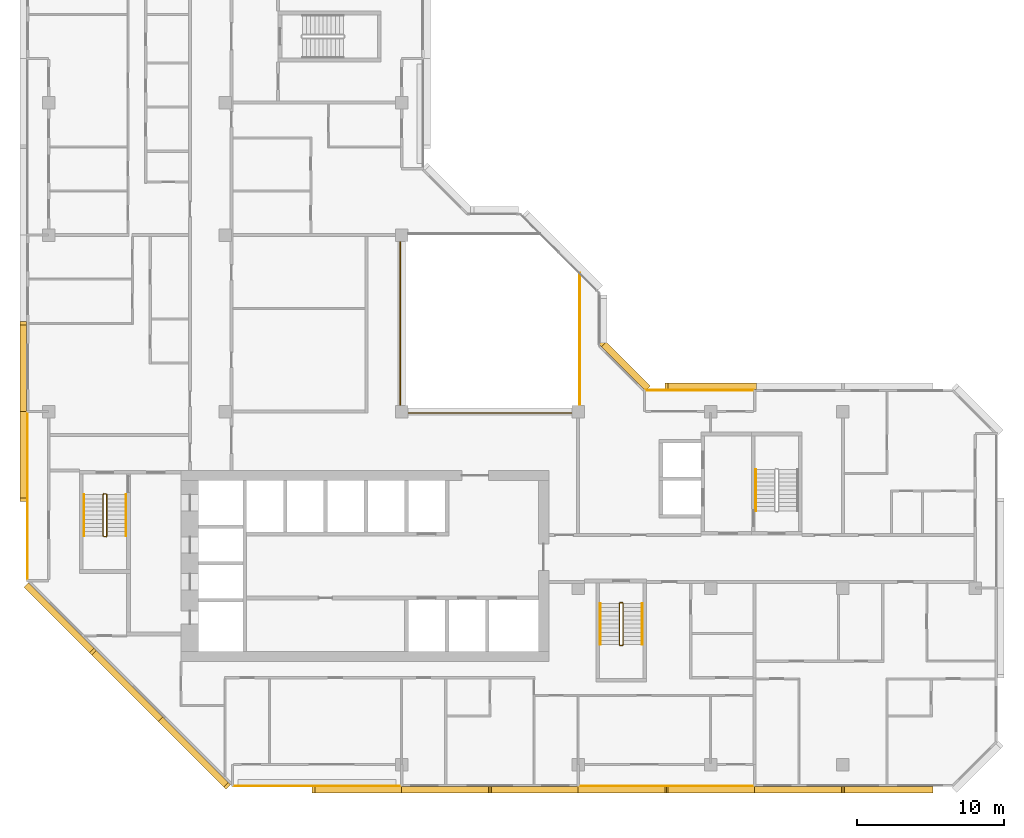
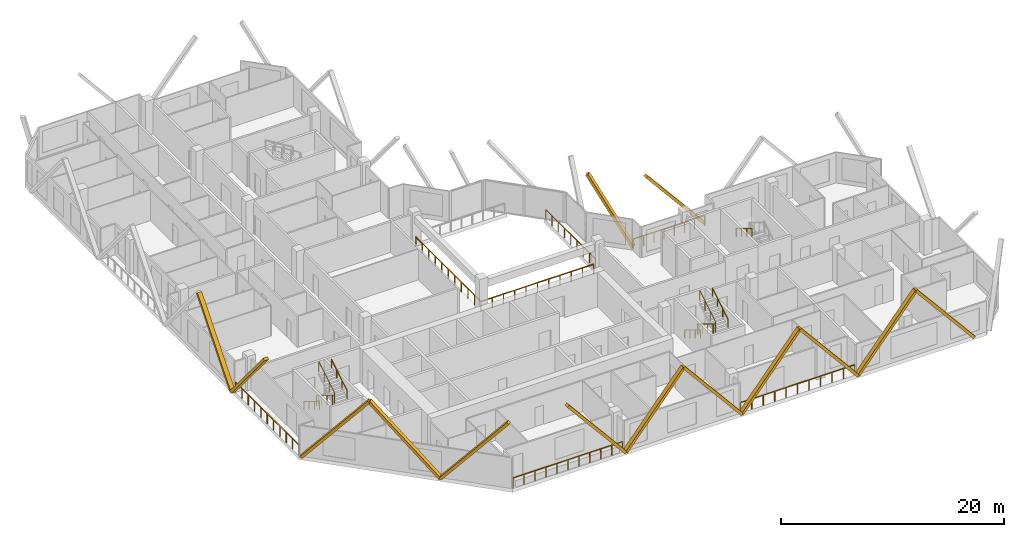
# One storey, part 14 of 15: 14 coverings, 13 railings.
"""IFC4 building model written with IfcOpenShell, lengths in metres."""

from ifc_helpers import new_model, si_unit, direction, frame, origin, origin_2d, place, context, subcontext, project, spatial, rectangle, extrude, material, material_profile, profile_set, type_object, element, save


model = new_model("IFC4")

# Units and contexts
model_context = context("Model", 3, precision=1e-05, world=origin(), true_north=direction((0.0, 1.0)))
body_context = subcontext(model_context, "Body", "Model", "MODEL_VIEW")
ifc_project = project(units=[si_unit("LENGTHUNIT", "METRE"), si_unit("AREAUNIT", "SQUARE_METRE"), si_unit("VOLUMEUNIT", "CUBIC_METRE"), si_unit("PLANEANGLEUNIT", "RADIAN"), si_unit("MASSUNIT", "GRAM", prefix="KILO")], contexts=[model_context])

# Site, building, storey
site_placement = place(None, origin())
site = spatial("IfcSite", under=ifc_project, at=site_placement, CompositionType="ELEMENT")
building_placement = place(site_placement, origin())
building = spatial("IfcBuilding", under=site, at=building_placement, Name="Chenar Terraces", CompositionType="ELEMENT")
storey_placement = place(building_placement, frame((0.0, 0.0, 211.64990234375)))
storey = spatial("IfcBuildingStorey", under=building, at=storey_placement, Name="L49", CompositionType="ELEMENT", Elevation=211.64990234375)

# Railings
ifc_material_1 = material(Name="Powder-coated steel", Category="steel")
railing_type_1 = type_object("IfcRailingType", Name="Guard 1100 steel rail with glass infill", PredefinedType="GUARDRAIL", material=ifc_material_1)
railing_1_placement = place(storey_placement, frame((23.89990234375, 35.574951171875, 0.0)))
element("IfcRailing", 1, at=railing_1_placement, inside=storey, type_object=railing_type_1, Name="Guard L49-1", PredefinedType="GUARDRAIL", context=body_context, shape_type="SweptSolid", body=[
    extrude(rectangle(XDim=0.06005859375, YDim=0.06005859375, at=origin_2d()), frame((0.0, 0.0, 1.070068359375), z_axis=(0.0, -1.0, 0.0), x_axis=(1.0, 0.0, 0.0)), (0.0, 0.0, 1.0), 11.675048828125),
    extrude(rectangle(XDim=0.06005859375, YDim=0.06005859375, at=origin_2d()), frame((0.0, -11.675048828125, 1.070068359375), z_axis=(1.0, 0.0, 0.0), x_axis=(0.0, 1.0, 0.0)), (0.0, 0.0, 1.0), 11.675048828125),
    extrude(rectangle(XDim=0.050048828125, YDim=0.050048828125, at=origin_2d()), origin(), (0.0, 0.0, 1.0), 1.0400390625),
    extrude(rectangle(XDim=0.050048828125, YDim=0.050048828125, at=origin_2d()), frame((0.0, -1.16748046875, 0.0)), (0.0, 0.0, 1.0), 1.0400390625),
    extrude(rectangle(XDim=0.050048828125, YDim=0.050048828125, at=origin_2d()), frame((0.0, -2.3349609375, 0.0)), (0.0, 0.0, 1.0), 1.0400390625),
    extrude(rectangle(XDim=0.050048828125, YDim=0.050048828125, at=origin_2d()), frame((0.0, -3.50244140625, 0.0)), (0.0, 0.0, 1.0), 1.0400390625),
    extrude(rectangle(XDim=0.050048828125, YDim=0.050048828125, at=origin_2d()), frame((0.0, -4.669921875, 0.0)), (0.0, 0.0, 1.0), 1.0400390625),
    extrude(rectangle(XDim=0.050048828125, YDim=0.050048828125, at=origin_2d()), frame((0.0, -5.83740234375, 0.0)), (0.0, 0.0, 1.0), 1.0400390625),
    extrude(rectangle(XDim=0.050048828125, YDim=0.050048828125, at=origin_2d()), frame((0.0, -7.005126953125, 0.0)), (0.0, 0.0, 1.0), 1.0400390625),
    extrude(rectangle(XDim=0.050048828125, YDim=0.050048828125, at=origin_2d()), frame((0.0, -8.172607421875, 0.0)), (0.0, 0.0, 1.0), 1.0400390625),
    extrude(rectangle(XDim=0.050048828125, YDim=0.050048828125, at=origin_2d()), frame((0.0, -9.340087890625, 0.0)), (0.0, 0.0, 1.0), 1.0400390625),
    extrude(rectangle(XDim=0.050048828125, YDim=0.050048828125, at=origin_2d()), frame((0.0, -10.507568359375, 0.0)), (0.0, 0.0, 1.0), 1.0400390625),
    extrude(rectangle(XDim=0.050048828125, YDim=0.050048828125, at=origin_2d()), frame((0.0, -11.675048828125, 0.0)), (0.0, 0.0, 1.0), 1.0400390625),
    extrude(rectangle(XDim=0.050048828125, YDim=0.050048828125, at=origin_2d()), frame((1.16748046875, -11.675048828125, 0.0)), (0.0, 0.0, 1.0), 1.0400390625),
    extrude(rectangle(XDim=0.050048828125, YDim=0.050048828125, at=origin_2d()), frame((2.3349609375, -11.675048828125, 0.0)), (0.0, 0.0, 1.0), 1.0400390625),
    extrude(rectangle(XDim=0.050048828125, YDim=0.050048828125, at=origin_2d()), frame((3.50244140625, -11.675048828125, 0.0)), (0.0, 0.0, 1.0), 1.0400390625),
    extrude(rectangle(XDim=0.050048828125, YDim=0.050048828125, at=origin_2d()), frame((4.669921875, -11.675048828125, 0.0)), (0.0, 0.0, 1.0), 1.0400390625),
    extrude(rectangle(XDim=0.050048828125, YDim=0.050048828125, at=origin_2d()), frame((5.83740234375, -11.675048828125, 0.0)), (0.0, 0.0, 1.0), 1.0400390625),
    extrude(rectangle(XDim=0.050048828125, YDim=0.050048828125, at=origin_2d()), frame((7.005126953125, -11.675048828125, 0.0)), (0.0, 0.0, 1.0), 1.0400390625),
    extrude(rectangle(XDim=0.050048828125, YDim=0.050048828125, at=origin_2d()), frame((8.172607421875, -11.675048828125, 0.0)), (0.0, 0.0, 1.0), 1.0400390625),
    extrude(rectangle(XDim=0.050048828125, YDim=0.050048828125, at=origin_2d()), frame((9.340087890625, -11.675048828125, 0.0)), (0.0, 0.0, 1.0), 1.0400390625),
    extrude(rectangle(XDim=0.050048828125, YDim=0.050048828125, at=origin_2d()), frame((10.507568359375, -11.675048828125, 0.0)), (0.0, 0.0, 1.0), 1.0400390625),
    extrude(rectangle(XDim=0.050048828125, YDim=0.050048828125, at=origin_2d()), frame((11.675048828125, -11.675048828125, 0.0)), (0.0, 0.0, 1.0), 1.0400390625),
])
railing_2_placement = place(storey_placement, frame((36.10009765625, 24.47509765625, 0.0)))
element("IfcRailing", 2, at=railing_2_placement, inside=storey, type_object=railing_type_1, Name="Guard L49-3", PredefinedType="GUARDRAIL", context=body_context, shape_type="SweptSolid", body=[
    extrude(rectangle(XDim=0.06005859375, YDim=0.06005859375, at=origin_2d()), frame((0.0, 0.0, 1.070068359375), z_axis=(0.0, 1.0, 0.0), x_axis=(-1.0, 0.0, 0.0)), (0.0, 0.0, 1.0), 8.9248046875),
    extrude(rectangle(XDim=0.050048828125, YDim=0.050048828125, at=origin_2d()), origin(), (0.0, 0.0, 1.0), 1.0400390625),
    extrude(rectangle(XDim=0.050048828125, YDim=0.050048828125, at=origin_2d()), frame((0.0, 1.11572265625, 0.0)), (0.0, 0.0, 1.0), 1.0400390625),
    extrude(rectangle(XDim=0.050048828125, YDim=0.050048828125, at=origin_2d()), frame((0.0, 2.231201171875, 0.0)), (0.0, 0.0, 1.0), 1.0400390625),
    extrude(rectangle(XDim=0.050048828125, YDim=0.050048828125, at=origin_2d()), frame((0.0, 3.3466796875, 0.0)), (0.0, 0.0, 1.0), 1.0400390625),
    extrude(rectangle(XDim=0.050048828125, YDim=0.050048828125, at=origin_2d()), frame((0.0, 4.46240234375, 0.0)), (0.0, 0.0, 1.0), 1.0400390625),
    extrude(rectangle(XDim=0.050048828125, YDim=0.050048828125, at=origin_2d()), frame((0.0, 5.578125, 0.0)), (0.0, 0.0, 1.0), 1.0400390625),
    extrude(rectangle(XDim=0.050048828125, YDim=0.050048828125, at=origin_2d()), frame((0.0, 6.693603515625, 0.0)), (0.0, 0.0, 1.0), 1.0400390625),
    extrude(rectangle(XDim=0.050048828125, YDim=0.050048828125, at=origin_2d()), frame((0.0, 7.80908203125, 0.0)), (0.0, 0.0, 1.0), 1.0400390625),
    extrude(rectangle(XDim=0.050048828125, YDim=0.050048828125, at=origin_2d()), frame((0.0, 8.9248046875, 0.0)), (0.0, 0.0, 1.0), 1.0400390625),
])
ifc_material_2 = material(Name="Stainless steel and glass", Category="steel")
railing_type_2 = type_object("IfcRailingType", Name="Loggia guard 1150", PredefinedType="GUARDRAIL", material=ifc_material_2)
railing_3_placement = place(storey_placement, frame((47.925048828125, 25.449951171875, 0.0)))
element("IfcRailing", 3, at=railing_3_placement, inside=storey, type_object=railing_type_2, Name="Loggia guard", PredefinedType="GUARDRAIL", context=body_context, shape_type="SweptSolid", body=[
    extrude(rectangle(XDim=0.048095703125, YDim=0.048095703125, at=origin_2d()), frame((0.0, 0.0, 1.1259765625), z_axis=(-1.0, 0.0, 0.0), x_axis=(0.0, -1.0, 0.0)), (0.0, 0.0, 1.0), 7.35009765625),
    extrude(rectangle(XDim=0.0419921875, YDim=0.0419921875, at=origin_2d()), origin(), (0.0, 0.0, 1.0), 1.101806640625),
    extrude(rectangle(XDim=0.0419921875, YDim=0.0419921875, at=origin_2d()), frame((-1.050048828125, 0.0, 0.0)), (0.0, 0.0, 1.0), 1.101806640625),
    extrude(rectangle(XDim=0.0419921875, YDim=0.0419921875, at=origin_2d()), frame((-2.10009765625, 0.0, 0.0)), (0.0, 0.0, 1.0), 1.101806640625),
    extrude(rectangle(XDim=0.0419921875, YDim=0.0419921875, at=origin_2d()), frame((-3.150146484375, 0.0, 0.0)), (0.0, 0.0, 1.0), 1.101806640625),
    extrude(rectangle(XDim=0.0419921875, YDim=0.0419921875, at=origin_2d()), frame((-4.199951171875, 0.0, 0.0)), (0.0, 0.0, 1.0), 1.101806640625),
    extrude(rectangle(XDim=0.0419921875, YDim=0.0419921875, at=origin_2d()), frame((-5.25, 0.0, 0.0)), (0.0, 0.0, 1.0), 1.101806640625),
    extrude(rectangle(XDim=0.0419921875, YDim=0.0419921875, at=origin_2d()), frame((-6.300048828125, 0.0, 0.0)), (0.0, 0.0, 1.0), 1.101806640625),
    extrude(rectangle(XDim=0.0419921875, YDim=0.0419921875, at=origin_2d()), frame((-7.35009765625, 0.0, 0.0)), (0.0, 0.0, 1.0), 1.101806640625),
])
railing_4_placement = place(storey_placement, frame((12.574951171875, -1.449951171875, 0.0)))
element("IfcRailing", 4, at=railing_4_placement, inside=storey, type_object=railing_type_2, Name="Loggia guard", PredefinedType="GUARDRAIL", context=body_context, shape_type="SweptSolid", body=[
    extrude(rectangle(XDim=0.048095703125, YDim=0.048095703125, at=origin_2d()), frame((0.0, 0.0, 1.1259765625), z_axis=(1.0, 0.0, 0.0), x_axis=(0.0, 1.0, 0.0)), (0.0, 0.0, 1.0), 11.35009765625),
    extrude(rectangle(XDim=0.0419921875, YDim=0.0419921875, at=origin_2d()), origin(), (0.0, 0.0, 1.0), 1.101806640625),
    extrude(rectangle(XDim=0.0419921875, YDim=0.0419921875, at=origin_2d()), frame((1.135009765625, 0.0, 0.0)), (0.0, 0.0, 1.0), 1.101806640625),
    extrude(rectangle(XDim=0.0419921875, YDim=0.0419921875, at=origin_2d()), frame((2.27001953125, 0.0, 0.0)), (0.0, 0.0, 1.0), 1.101806640625),
    extrude(rectangle(XDim=0.0419921875, YDim=0.0419921875, at=origin_2d()), frame((3.405029296875, 0.0, 0.0)), (0.0, 0.0, 1.0), 1.101806640625),
    extrude(rectangle(XDim=0.0419921875, YDim=0.0419921875, at=origin_2d()), frame((4.5400390625, 0.0, 0.0)), (0.0, 0.0, 1.0), 1.101806640625),
    extrude(rectangle(XDim=0.0419921875, YDim=0.0419921875, at=origin_2d()), frame((5.675048828125, 0.0, 0.0)), (0.0, 0.0, 1.0), 1.101806640625),
    extrude(rectangle(XDim=0.0419921875, YDim=0.0419921875, at=origin_2d()), frame((6.81005859375, 0.0, 0.0)), (0.0, 0.0, 1.0), 1.101806640625),
    extrude(rectangle(XDim=0.0419921875, YDim=0.0419921875, at=origin_2d()), frame((7.945068359375, 0.0, 0.0)), (0.0, 0.0, 1.0), 1.101806640625),
    extrude(rectangle(XDim=0.0419921875, YDim=0.0419921875, at=origin_2d()), frame((9.080078125, 0.0, 0.0)), (0.0, 0.0, 1.0), 1.101806640625),
    extrude(rectangle(XDim=0.0419921875, YDim=0.0419921875, at=origin_2d()), frame((10.215087890625, 0.0, 0.0)), (0.0, 0.0, 1.0), 1.101806640625),
    extrude(rectangle(XDim=0.0419921875, YDim=0.0419921875, at=origin_2d()), frame((11.35009765625, 0.0, 0.0)), (0.0, 0.0, 1.0), 1.101806640625),
])
railing_5_placement = place(storey_placement, frame((36.074951171875, -1.449951171875, 0.0)))
element("IfcRailing", 5, at=railing_5_placement, inside=storey, type_object=railing_type_2, Name="Loggia guard", PredefinedType="GUARDRAIL", context=body_context, shape_type="SweptSolid", body=[
    extrude(rectangle(XDim=0.048095703125, YDim=0.048095703125, at=origin_2d()), frame((0.0, 0.0, 1.1259765625), z_axis=(1.0, 0.0, 0.0), x_axis=(0.0, 1.0, 0.0)), (0.0, 0.0, 1.0), 11.85009765625),
    extrude(rectangle(XDim=0.0419921875, YDim=0.0419921875, at=origin_2d()), origin(), (0.0, 0.0, 1.0), 1.101806640625),
    extrude(rectangle(XDim=0.0419921875, YDim=0.0419921875, at=origin_2d()), frame((1.18505859375, 0.0, 0.0)), (0.0, 0.0, 1.0), 1.101806640625),
    extrude(rectangle(XDim=0.0419921875, YDim=0.0419921875, at=origin_2d()), frame((2.3701171875, 0.0, 0.0)), (0.0, 0.0, 1.0), 1.101806640625),
    extrude(rectangle(XDim=0.0419921875, YDim=0.0419921875, at=origin_2d()), frame((3.554931640625, 0.0, 0.0)), (0.0, 0.0, 1.0), 1.101806640625),
    extrude(rectangle(XDim=0.0419921875, YDim=0.0419921875, at=origin_2d()), frame((4.739990234375, 0.0, 0.0)), (0.0, 0.0, 1.0), 1.101806640625),
    extrude(rectangle(XDim=0.0419921875, YDim=0.0419921875, at=origin_2d()), frame((5.925048828125, 0.0, 0.0)), (0.0, 0.0, 1.0), 1.101806640625),
    extrude(rectangle(XDim=0.0419921875, YDim=0.0419921875, at=origin_2d()), frame((7.110107421875, 0.0, 0.0)), (0.0, 0.0, 1.0), 1.101806640625),
    extrude(rectangle(XDim=0.0419921875, YDim=0.0419921875, at=origin_2d()), frame((8.295166015625, 0.0, 0.0)), (0.0, 0.0, 1.0), 1.101806640625),
    extrude(rectangle(XDim=0.0419921875, YDim=0.0419921875, at=origin_2d()), frame((9.47998046875, 0.0, 0.0)), (0.0, 0.0, 1.0), 1.101806640625),
    extrude(rectangle(XDim=0.0419921875, YDim=0.0419921875, at=origin_2d()), frame((10.6650390625, 0.0, 0.0)), (0.0, 0.0, 1.0), 1.101806640625),
    extrude(rectangle(XDim=0.0419921875, YDim=0.0419921875, at=origin_2d()), frame((11.85009765625, 0.0, 0.0)), (0.0, 0.0, 1.0), 1.101806640625),
])
railing_6_placement = place(storey_placement, frame((-1.449951171875, 23.925048828125, 0.0)))
element("IfcRailing", 6, at=railing_6_placement, inside=storey, type_object=railing_type_2, Name="Loggia guard", PredefinedType="GUARDRAIL", context=body_context, shape_type="SweptSolid", body=[
    extrude(rectangle(XDim=0.048095703125, YDim=0.048095703125, at=origin_2d()), frame((0.0, 0.0, 1.1259765625), z_axis=(0.0, -1.0, 0.0), x_axis=(1.0, 0.0, 0.0)), (0.0, 0.0, 1.0), 11.35009765625),
    extrude(rectangle(XDim=0.0419921875, YDim=0.0419921875, at=origin_2d()), origin(), (0.0, 0.0, 1.0), 1.101806640625),
    extrude(rectangle(XDim=0.0419921875, YDim=0.0419921875, at=origin_2d()), frame((0.0, -1.135009765625, 0.0)), (0.0, 0.0, 1.0), 1.101806640625),
    extrude(rectangle(XDim=0.0419921875, YDim=0.0419921875, at=origin_2d()), frame((0.0, -2.27001953125, 0.0)), (0.0, 0.0, 1.0), 1.101806640625),
    extrude(rectangle(XDim=0.0419921875, YDim=0.0419921875, at=origin_2d()), frame((0.0, -3.405029296875, 0.0)), (0.0, 0.0, 1.0), 1.101806640625),
    extrude(rectangle(XDim=0.0419921875, YDim=0.0419921875, at=origin_2d()), frame((0.0, -4.5400390625, 0.0)), (0.0, 0.0, 1.0), 1.101806640625),
    extrude(rectangle(XDim=0.0419921875, YDim=0.0419921875, at=origin_2d()), frame((0.0, -5.675048828125, 0.0)), (0.0, 0.0, 1.0), 1.101806640625),
    extrude(rectangle(XDim=0.0419921875, YDim=0.0419921875, at=origin_2d()), frame((0.0, -6.81005859375, 0.0)), (0.0, 0.0, 1.0), 1.101806640625),
    extrude(rectangle(XDim=0.0419921875, YDim=0.0419921875, at=origin_2d()), frame((0.0, -7.945068359375, 0.0)), (0.0, 0.0, 1.0), 1.101806640625),
    extrude(rectangle(XDim=0.0419921875, YDim=0.0419921875, at=origin_2d()), frame((0.0, -9.080078125, 0.0)), (0.0, 0.0, 1.0), 1.101806640625),
    extrude(rectangle(XDim=0.0419921875, YDim=0.0419921875, at=origin_2d()), frame((0.0, -10.215087890625, 0.0)), (0.0, 0.0, 1.0), 1.101806640625),
    extrude(rectangle(XDim=0.0419921875, YDim=0.0419921875, at=origin_2d()), frame((0.0, -11.35009765625, 0.0)), (0.0, 0.0, 1.0), 1.101806640625),
])
ifc_material_3 = material(Name="Powder-coated steel", Category="steel")
railing_type_3 = type_object("IfcRailingType", Name="Stair guard 1100", PredefinedType="GUARDRAIL", material=ifc_material_3)
railing_7_placement = place(storey_placement, frame((3.949951171875, 18.35009765625, 3.75)))
element("IfcRailing", 7, at=railing_7_placement, inside=storey, type_object=railing_type_3, Name="L49 ST1 stair guard 1", PredefinedType="GUARDRAIL", context=body_context, shape_type="SweptSolid", body=[
    extrude(rectangle(XDim=0.048095703125, YDim=0.048095703125, at=origin_2d()), frame((0.0, 0.0, 1.076171875), z_axis=(0.0, -0.854202870247, -0.519939858505), x_axis=(1.0, 0.0, 0.0)), (0.0, 0.0, 1.0), 3.278076171875),
    extrude(rectangle(XDim=0.048095703125, YDim=0.048095703125, at=origin_2d()), frame((0.0, -2.800048828125, -0.62841796875), z_axis=(-0.270899902878, -0.270899902878, -0.923702595667), x_axis=(0.707106781187, -0.707106781187, 0.0)), (0.0, 0.0, 1.0), 0.184814453125),
    extrude(rectangle(XDim=0.048095703125, YDim=0.048095703125, at=origin_2d()), frame((-0.050048828125, -2.85009765625, -0.798828125), z_axis=(-1.0, 0.0, 0.0), x_axis=(0.0, -1.0, 0.0)), (0.0, 0.0, 1.0), 0.14990234375),
    extrude(rectangle(XDim=0.048095703125, YDim=0.048095703125, at=origin_2d()), frame((-0.199951171875, -2.85009765625, -0.798828125), z_axis=(-0.707106781187, 0.707106781187, 0.0), x_axis=(-0.707106781187, -0.707106781187, 0.0)), (0.0, 0.0, 1.0), 0.07080078125),
    extrude(rectangle(XDim=0.048095703125, YDim=0.048095703125, at=origin_2d()), frame((-0.25, -2.800048828125, -0.798828125), z_axis=(0.0, 0.854202870247, -0.519939858505), x_axis=(-1.0, 0.0, 0.0)), (0.0, 0.0, 1.0), 3.278076171875),
    extrude(rectangle(XDim=0.048095703125, YDim=0.048095703125, at=origin_2d()), frame((-0.25, 0.0, -2.50341796875), z_axis=(0.270996696079, 0.269674760976, -0.924032636873), x_axis=(-0.705375805398, 0.708833529934, 0.0)), (0.0, 0.0, 1.0), 0.1845703125),
    extrude(rectangle(XDim=0.048095703125, YDim=0.048095703125, at=origin_2d()), frame((-0.199951171875, 0.0498046875, -2.673828125), z_axis=(1.0, 0.0, 0.0), x_axis=(0.0, 1.0, 0.0)), (0.0, 0.0, 1.0), 0.14990234375),
    extrude(rectangle(XDim=0.0419921875, YDim=0.0419921875, at=origin_2d()), origin(), (0.0, 0.0, 1.0), 1.052001953125),
    extrude(rectangle(XDim=0.0419921875, YDim=0.0419921875, at=origin_2d()), frame((0.0, -0.933349609375, -0.568115234375)), (0.0, 0.0, 1.0), 1.052001953125),
    extrude(rectangle(XDim=0.0419921875, YDim=0.0419921875, at=origin_2d()), frame((0.0, -1.86669921875, -1.13623046875)), (0.0, 0.0, 1.0), 1.052001953125),
    extrude(rectangle(XDim=0.0419921875, YDim=0.0419921875, at=origin_2d()), frame((0.0, -2.800048828125, -1.704345703125)), (0.0, 0.0, 1.0), 1.052001953125),
    extrude(rectangle(XDim=0.0419921875, YDim=0.0419921875, at=origin_2d()), frame((-0.050048828125, -2.85009765625, -1.875)), (0.0, 0.0, 1.0), 1.052001953125),
    extrude(rectangle(XDim=0.0419921875, YDim=0.0419921875, at=origin_2d()), frame((-0.199951171875, -2.85009765625, -1.875)), (0.0, 0.0, 1.0), 1.052001953125),
    extrude(rectangle(XDim=0.0419921875, YDim=0.0419921875, at=origin_2d()), frame((-0.25, -2.800048828125, -1.875)), (0.0, 0.0, 1.0), 1.052001953125),
    extrude(rectangle(XDim=0.0419921875, YDim=0.0419921875, at=origin_2d()), frame((-0.25, -1.86669921875, -2.443115234375)), (0.0, 0.0, 1.0), 1.052001953125),
    extrude(rectangle(XDim=0.0419921875, YDim=0.0419921875, at=origin_2d()), frame((-0.25, -0.933349609375, -3.01123046875)), (0.0, 0.0, 1.0), 1.052001953125),
    extrude(rectangle(XDim=0.0419921875, YDim=0.0419921875, at=origin_2d()), frame((-0.25, 0.0, -3.579345703125)), (0.0, 0.0, 1.0), 1.052001953125),
    extrude(rectangle(XDim=0.0419921875, YDim=0.0419921875, at=origin_2d()), frame((-0.199951171875, 0.0498046875, -3.75)), (0.0, 0.0, 1.0), 1.052001953125),
    extrude(rectangle(XDim=0.0419921875, YDim=0.0419921875, at=origin_2d()), frame((-0.050048828125, 0.0498046875, -3.75)), (0.0, 0.0, 1.0), 1.052001953125),
])
railing_8_placement = place(storey_placement, frame((39.050048828125, 10.949951171875, 3.75)))
element("IfcRailing", 8, at=railing_8_placement, inside=storey, type_object=railing_type_3, Name="L49 ST2 stair guard 1", PredefinedType="GUARDRAIL", context=body_context, shape_type="SweptSolid", body=[
    extrude(rectangle(XDim=0.048095703125, YDim=0.048095703125, at=origin_2d()), frame((0.0, 0.0, 1.076171875), z_axis=(0.0, -0.854202870247, -0.519939858505), x_axis=(1.0, 0.0, 0.0)), (0.0, 0.0, 1.0), 3.278076171875),
    extrude(rectangle(XDim=0.048095703125, YDim=0.048095703125, at=origin_2d()), frame((0.0, -2.800048828125, -0.62841796875), z_axis=(-0.270996696079, -0.269674760976, -0.924032636873), x_axis=(0.705375805398, -0.708833529934, 0.0)), (0.0, 0.0, 1.0), 0.1845703125),
    extrude(rectangle(XDim=0.048095703125, YDim=0.048095703125, at=origin_2d()), frame((-0.050048828125, -2.849853515625, -0.798828125), z_axis=(-1.0, 0.0, 0.0), x_axis=(0.0, -1.0, 0.0)), (0.0, 0.0, 1.0), 0.14990234375),
    extrude(rectangle(XDim=0.048095703125, YDim=0.048095703125, at=origin_2d()), frame((-0.199951171875, -2.849853515625, -0.798828125), z_axis=(-0.708833529934, 0.705375805398, 0.0), x_axis=(-0.705375805398, -0.708833529934, 0.0)), (0.0, 0.0, 1.0), 0.070556640625),
    extrude(rectangle(XDim=0.048095703125, YDim=0.048095703125, at=origin_2d()), frame((-0.25, -2.800048828125, -0.798828125), z_axis=(0.0, 0.854202870247, -0.519939858505), x_axis=(-1.0, 0.0, 0.0)), (0.0, 0.0, 1.0), 3.278076171875),
    extrude(rectangle(XDim=0.048095703125, YDim=0.048095703125, at=origin_2d()), frame((-0.25, 0.0, -2.50341796875), z_axis=(0.270899902878, 0.270899902878, -0.923702595667), x_axis=(-0.707106781187, 0.707106781187, 0.0)), (0.0, 0.0, 1.0), 0.184814453125),
    extrude(rectangle(XDim=0.048095703125, YDim=0.048095703125, at=origin_2d()), frame((-0.199951171875, 0.050048828125, -2.673828125), z_axis=(1.0, 0.0, 0.0), x_axis=(0.0, 1.0, 0.0)), (0.0, 0.0, 1.0), 0.14990234375),
    extrude(rectangle(XDim=0.0419921875, YDim=0.0419921875, at=origin_2d()), origin(), (0.0, 0.0, 1.0), 1.052001953125),
    extrude(rectangle(XDim=0.0419921875, YDim=0.0419921875, at=origin_2d()), frame((0.0, -0.933349609375, -0.568115234375)), (0.0, 0.0, 1.0), 1.052001953125),
    extrude(rectangle(XDim=0.0419921875, YDim=0.0419921875, at=origin_2d()), frame((0.0, -1.86669921875, -1.13623046875)), (0.0, 0.0, 1.0), 1.052001953125),
    extrude(rectangle(XDim=0.0419921875, YDim=0.0419921875, at=origin_2d()), frame((0.0, -2.800048828125, -1.704345703125)), (0.0, 0.0, 1.0), 1.052001953125),
    extrude(rectangle(XDim=0.0419921875, YDim=0.0419921875, at=origin_2d()), frame((-0.050048828125, -2.849853515625, -1.875)), (0.0, 0.0, 1.0), 1.052001953125),
    extrude(rectangle(XDim=0.0419921875, YDim=0.0419921875, at=origin_2d()), frame((-0.199951171875, -2.849853515625, -1.875)), (0.0, 0.0, 1.0), 1.052001953125),
    extrude(rectangle(XDim=0.0419921875, YDim=0.0419921875, at=origin_2d()), frame((-0.25, -2.800048828125, -1.875)), (0.0, 0.0, 1.0), 1.052001953125),
    extrude(rectangle(XDim=0.0419921875, YDim=0.0419921875, at=origin_2d()), frame((-0.25, -1.86669921875, -2.443115234375)), (0.0, 0.0, 1.0), 1.052001953125),
    extrude(rectangle(XDim=0.0419921875, YDim=0.0419921875, at=origin_2d()), frame((-0.25, -0.933349609375, -3.01123046875)), (0.0, 0.0, 1.0), 1.052001953125),
    extrude(rectangle(XDim=0.0419921875, YDim=0.0419921875, at=origin_2d()), frame((-0.25, 0.0, -3.579345703125)), (0.0, 0.0, 1.0), 1.052001953125),
    extrude(rectangle(XDim=0.0419921875, YDim=0.0419921875, at=origin_2d()), frame((-0.199951171875, 0.050048828125, -3.75)), (0.0, 0.0, 1.0), 1.052001953125),
    extrude(rectangle(XDim=0.0419921875, YDim=0.0419921875, at=origin_2d()), frame((-0.050048828125, 0.050048828125, -3.75)), (0.0, 0.0, 1.0), 1.052001953125),
])
ifc_material_4 = material(Name="Powder-coated steel", Category="steel")
railing_type_4 = type_object("IfcRailingType", Name="Stair handrail 900", PredefinedType="HANDRAIL", material=ifc_material_4)
railing_9_placement = place(storey_placement, frame((2.39990234375, 18.35009765625, 0.170654296875)))
element("IfcRailing", 9, at=railing_9_placement, inside=storey, type_object=railing_type_4, Name="L49 ST1 stair handrail 1", PredefinedType="HANDRAIL", context=body_context, shape_type="SweptSolid", body=[
    extrude(rectangle(XDim=0.048095703125, YDim=0.048095703125, at=origin_2d()), frame((0.0, 0.0, 0.8759765625), z_axis=(0.0, -0.854202870247, 0.519939858505), x_axis=(1.0, 0.0, 0.0)), (0.0, 0.0, 1.0), 3.278076171875),
    extrude(rectangle(XDim=0.0419921875, YDim=0.0419921875, at=origin_2d()), origin(), (0.0, 0.0, 1.0), 0.851806640625),
    extrude(rectangle(XDim=0.0419921875, YDim=0.0419921875, at=origin_2d()), frame((0.0, -0.933349609375, 0.568115234375)), (0.0, 0.0, 1.0), 0.851806640625),
    extrude(rectangle(XDim=0.0419921875, YDim=0.0419921875, at=origin_2d()), frame((0.0, -1.86669921875, 1.13623046875)), (0.0, 0.0, 1.0), 0.851806640625),
    extrude(rectangle(XDim=0.0419921875, YDim=0.0419921875, at=origin_2d()), frame((0.0, -2.800048828125, 1.704345703125)), (0.0, 0.0, 1.0), 0.851806640625),
])
railing_10_placement = place(storey_placement, frame((5.25, 15.550048828125, 2.045654296875)))
element("IfcRailing", 10, at=railing_10_placement, inside=storey, type_object=railing_type_4, Name="L49 ST1 stair handrail 2", PredefinedType="HANDRAIL", context=body_context, shape_type="SweptSolid", body=[
    extrude(rectangle(XDim=0.048095703125, YDim=0.048095703125, at=origin_2d()), frame((0.0, 0.0, 0.8759765625), z_axis=(0.0, 0.854202870247, 0.519939858505), x_axis=(-1.0, 0.0, 0.0)), (0.0, 0.0, 1.0), 3.278076171875),
    extrude(rectangle(XDim=0.0419921875, YDim=0.0419921875, at=origin_2d()), origin(), (0.0, 0.0, 1.0), 0.851806640625),
    extrude(rectangle(XDim=0.0419921875, YDim=0.0419921875, at=origin_2d()), frame((0.0, 0.933349609375, 0.568115234375)), (0.0, 0.0, 1.0), 0.851806640625),
    extrude(rectangle(XDim=0.0419921875, YDim=0.0419921875, at=origin_2d()), frame((0.0, 1.86669921875, 1.13623046875)), (0.0, 0.0, 1.0), 0.851806640625),
    extrude(rectangle(XDim=0.0419921875, YDim=0.0419921875, at=origin_2d()), frame((0.0, 2.800048828125, 1.704345703125)), (0.0, 0.0, 1.0), 0.851806640625),
])
railing_11_placement = place(storey_placement, frame((37.5, 10.949951171875, 0.170654296875)))
element("IfcRailing", 11, at=railing_11_placement, inside=storey, type_object=railing_type_4, Name="L49 ST2 stair handrail 1", PredefinedType="HANDRAIL", context=body_context, shape_type="SweptSolid", body=[
    extrude(rectangle(XDim=0.048095703125, YDim=0.048095703125, at=origin_2d()), frame((0.0, 0.0, 0.8759765625), z_axis=(0.0, -0.854202870247, 0.519939858505), x_axis=(1.0, 0.0, 0.0)), (0.0, 0.0, 1.0), 3.278076171875),
    extrude(rectangle(XDim=0.0419921875, YDim=0.0419921875, at=origin_2d()), origin(), (0.0, 0.0, 1.0), 0.851806640625),
    extrude(rectangle(XDim=0.0419921875, YDim=0.0419921875, at=origin_2d()), frame((0.0, -0.933349609375, 0.568115234375)), (0.0, 0.0, 1.0), 0.851806640625),
    extrude(rectangle(XDim=0.0419921875, YDim=0.0419921875, at=origin_2d()), frame((0.0, -1.86669921875, 1.13623046875)), (0.0, 0.0, 1.0), 0.851806640625),
    extrude(rectangle(XDim=0.0419921875, YDim=0.0419921875, at=origin_2d()), frame((0.0, -2.800048828125, 1.704345703125)), (0.0, 0.0, 1.0), 0.851806640625),
])
railing_12_placement = place(storey_placement, frame((40.35009765625, 8.14990234375, 2.045654296875)))
element("IfcRailing", 12, at=railing_12_placement, inside=storey, type_object=railing_type_4, Name="L49 ST2 stair handrail 2", PredefinedType="HANDRAIL", context=body_context, shape_type="SweptSolid", body=[
    extrude(rectangle(XDim=0.048095703125, YDim=0.048095703125, at=origin_2d()), frame((0.0, 0.0, 0.8759765625), z_axis=(0.0, 0.854202870247, 0.519939858505), x_axis=(-1.0, 0.0, 0.0)), (0.0, 0.0, 1.0), 3.278076171875),
    extrude(rectangle(XDim=0.0419921875, YDim=0.0419921875, at=origin_2d()), origin(), (0.0, 0.0, 1.0), 0.851806640625),
    extrude(rectangle(XDim=0.0419921875, YDim=0.0419921875, at=origin_2d()), frame((0.0, 0.933349609375, 0.568115234375)), (0.0, 0.0, 1.0), 0.851806640625),
    extrude(rectangle(XDim=0.0419921875, YDim=0.0419921875, at=origin_2d()), frame((0.0, 1.86669921875, 1.13623046875)), (0.0, 0.0, 1.0), 0.851806640625),
    extrude(rectangle(XDim=0.0419921875, YDim=0.0419921875, at=origin_2d()), frame((0.0, 2.800048828125, 1.704345703125)), (0.0, 0.0, 1.0), 0.851806640625),
])
railing_13_placement = place(storey_placement, frame((48.074951171875, 20.050048828125, 2.045654296875)))
element("IfcRailing", 13, at=railing_13_placement, inside=storey, type_object=railing_type_4, Name="L49 ST3 stair handrail 2", PredefinedType="HANDRAIL", context=body_context, shape_type="SweptSolid", body=[
    extrude(rectangle(XDim=0.048095703125, YDim=0.048095703125, at=origin_2d()), frame((0.0, 0.0, 0.8759765625), z_axis=(0.0, -0.854202870247, 0.519939858505), x_axis=(1.0, 0.0, 0.0)), (0.0, 0.0, 1.0), 3.278076171875),
    extrude(rectangle(XDim=0.0419921875, YDim=0.0419921875, at=origin_2d()), origin(), (0.0, 0.0, 1.0), 0.851806640625),
    extrude(rectangle(XDim=0.0419921875, YDim=0.0419921875, at=origin_2d()), frame((0.0, -0.933349609375, 0.568115234375)), (0.0, 0.0, 1.0), 0.851806640625),
    extrude(rectangle(XDim=0.0419921875, YDim=0.0419921875, at=origin_2d()), frame((0.0, -1.86669921875, 1.13623046875)), (0.0, 0.0, 1.0), 0.851806640625),
    extrude(rectangle(XDim=0.0419921875, YDim=0.0419921875, at=origin_2d()), frame((0.0, -2.800048828125, 1.704345703125)), (0.0, 0.0, 1.0), 0.851806640625),
])

# Coverings
ifc_material_5 = material(Name="Terracotta", Category="masonry")
ifc_material_profile = material_profile(ifc_material_5, rectangle(XDim=0.449951171875, YDim=0.280029296875, at=origin_2d()), Name="Terracotta baguette 450 x 280")
ifc_profile_set = profile_set([ifc_material_profile], Name="Terracotta")
covering_type = type_object("IfcCoveringType", Name="Terracotta baguette 450 x 280", PredefinedType="CLADDING", material=ifc_profile_set)
covering_1_placement = place(storey_placement, frame((48.0, 25.72509765625, 0.150146484375), z_axis=(-0.640186961885, 0.0, 0.768219144407), x_axis=(0.0, -1.0, 0.0)))
element("IfcCovering", 14, at=covering_1_placement, inside=storey, type_object=covering_type, Name="Terracotta baguette", PredefinedType="CLADDING", context=body_context, shape_type="SweptSolid", body=[
    extrude(rectangle(XDim=0.449951171875, YDim=0.280029296875, at=origin_2d()), origin(), (0.0, 0.0, 1.0), 9.372314453125),
])
covering_2_placement = place(storey_placement, frame((40.6591796875, 25.6591796875, 0.150146484375), z_axis=(-0.358980886355, 0.358980886355, 0.861548284464), x_axis=(-0.707106781187, -0.707106781187, 0.0)))
element("IfcCovering", 15, at=covering_2_placement, inside=storey, type_object=covering_type, Name="Terracotta baguette", PredefinedType="CLADDING", context=body_context, shape_type="SweptSolid", body=[
    extrude(rectangle(XDim=0.449951171875, YDim=0.280029296875, at=origin_2d()), origin(), (0.0, 0.0, 1.0), 8.35693359375),
])
for number, where, z_axis, x_axis, name in (
    (16, (-1.72509765625, 30.0, 7.35009765625), (0.0, -0.640186961885, -0.768219144407), (1.0, 0.0, 0.0), "Terracotta baguette"),
    (17, (-1.72509765625, 24.0, 0.150146484375), (0.0, -0.640186961885, 0.768219144407), (1.0, 0.0, 0.0), "Terracotta baguette"),
):
    element("IfcCovering", number, at=place(storey_placement, frame(where, z_axis=z_axis, x_axis=x_axis)), inside=storey, type_object=covering_type, Name=name, PredefinedType="CLADDING", context=body_context, shape_type="SweptSolid", body=[
        extrude(rectangle(XDim=0.449951171875, YDim=0.280029296875, at=origin_2d()), origin(), (0.0, 0.0, 1.0), 9.372314453125),
    ])
covering_3_placement = place(storey_placement, frame((-1.447021484375, 12.128662109375, 0.150146484375), z_axis=(0.46562956823, -0.465604048687, 0.752596821038), x_axis=(0.707087403354, 0.707126158488, 0.0)))
element("IfcCovering", 18, at=covering_3_placement, inside=storey, type_object=covering_type, Name="Terracotta baguette", PredefinedType="CLADDING", context=body_context, shape_type="SweptSolid", body=[
    extrude(rectangle(XDim=0.449951171875, YDim=0.280029296875, at=origin_2d()), origin(), (0.0, 0.0, 1.0), 9.56689453125),
])
covering_4_placement = place(storey_placement, frame((3.007568359375, 7.67431640625, 7.35009765625), z_axis=(0.477802509271, -0.477802509271, -0.73716315987), x_axis=(0.707106781187, 0.707106781187, 0.0)))
element("IfcCovering", 19, at=covering_4_placement, inside=storey, type_object=covering_type, Name="Terracotta baguette", PredefinedType="CLADDING", context=body_context, shape_type="SweptSolid", body=[
    extrude(rectangle(XDim=0.449951171875, YDim=0.280029296875, at=origin_2d()), origin(), (0.0, 0.0, 1.0), 9.76708984375),
])
covering_5_placement = place(storey_placement, frame((7.67431640625, 3.007568359375, 0.150146484375), z_axis=(0.465604048687, -0.46562956823, 0.752596821038), x_axis=(0.707126158488, 0.707087403354, 0.0)))
element("IfcCovering", 20, at=covering_5_placement, inside=storey, type_object=covering_type, Name="Terracotta baguette", PredefinedType="CLADDING", context=body_context, shape_type="SweptSolid", body=[
    extrude(rectangle(XDim=0.449951171875, YDim=0.280029296875, at=origin_2d()), origin(), (0.0, 0.0, 1.0), 9.56689453125),
])
for number, where, z_axis, x_axis, name in (
    (21, (18.0, -1.72509765625, 7.35009765625), (0.640186961885, 0.0, -0.768219144407), (0.0, 1.0, 0.0), "Terracotta baguette"),
    (22, (24.0, -1.72509765625, 0.150146484375), (0.640186961885, 0.0, 0.768219144407), (0.0, 1.0, 0.0), "Terracotta baguette"),
    (23, (30.0, -1.72509765625, 7.35009765625), (0.640186961885, 0.0, -0.768219144407), (0.0, 1.0, 0.0), "Terracotta baguette"),
    (24, (36.0, -1.72509765625, 0.150146484375), (0.640186961885, 0.0, 0.768219144407), (0.0, 1.0, 0.0), "Terracotta baguette"),
    (25, (42.0, -1.72509765625, 7.35009765625), (0.640186961885, 0.0, -0.768219144407), (0.0, 1.0, 0.0), "Terracotta baguette"),
    (26, (48.0, -1.72509765625, 0.150146484375), (0.640186961885, 0.0, 0.768219144407), (0.0, 1.0, 0.0), "Terracotta baguette"),
    (27, (54.0, -1.72509765625, 7.35009765625), (0.640186961885, 0.0, -0.768219144407), (0.0, 1.0, 0.0), "Terracotta baguette"),
):
    element("IfcCovering", number, at=place(storey_placement, frame(where, z_axis=z_axis, x_axis=x_axis)), inside=storey, type_object=covering_type, Name=name, PredefinedType="CLADDING", context=body_context, shape_type="SweptSolid", body=[
        extrude(rectangle(XDim=0.449951171875, YDim=0.280029296875, at=origin_2d()), origin(), (0.0, 0.0, 1.0), 9.372314453125),
    ])

save(model, "model.ifc")
